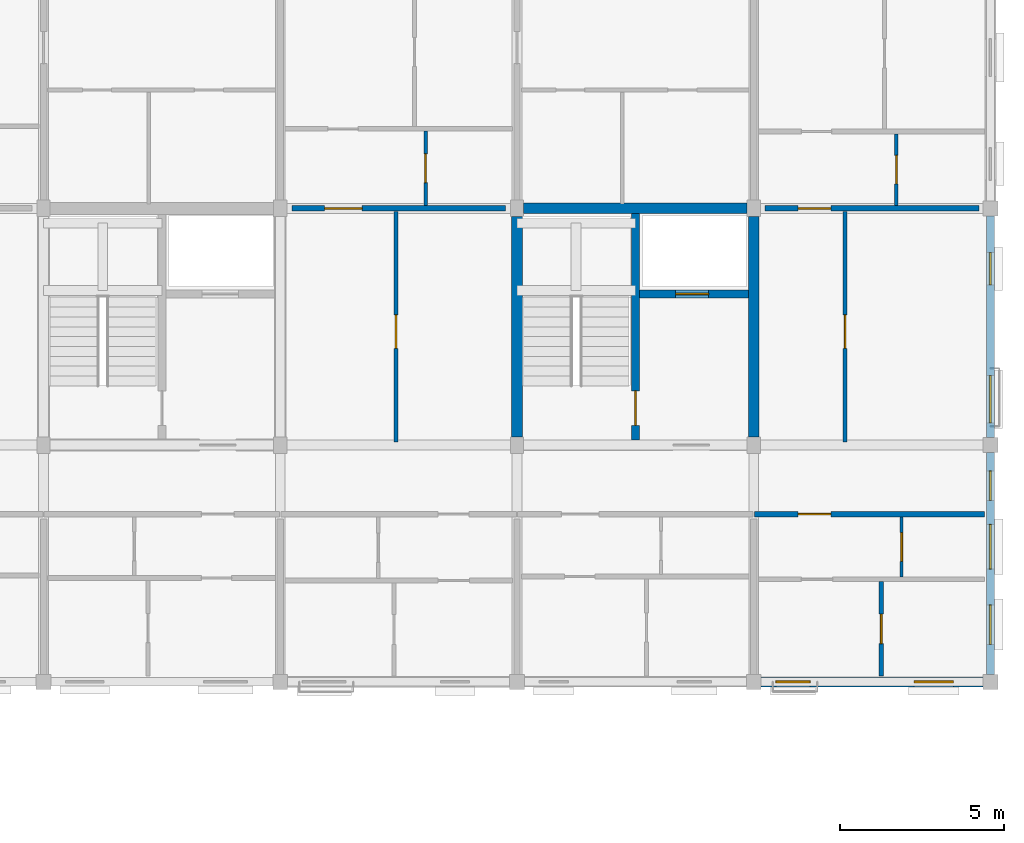
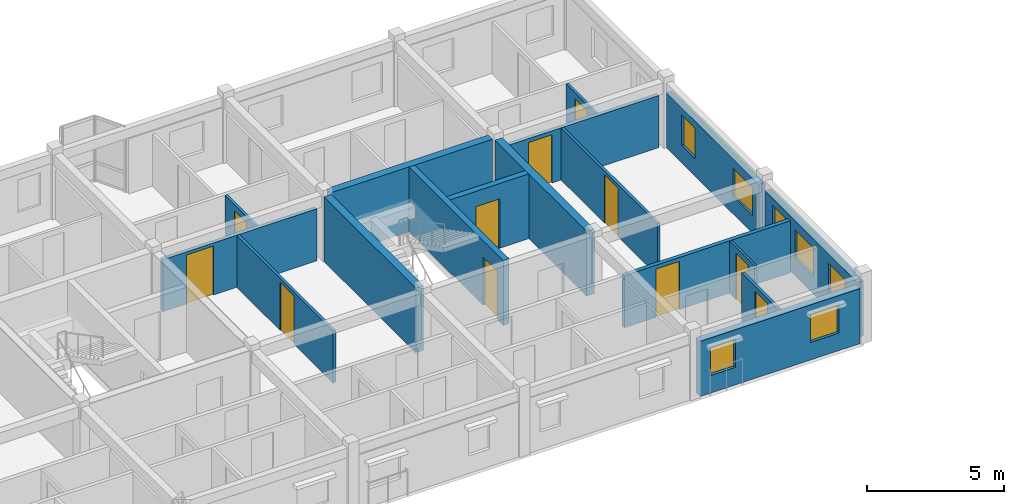
# One storey, part 23 of 28: 17 walls, 11 doors, 7 windows, 18 openings.
"""IFC4 building model written with IfcOpenShell, lengths in metres."""

from ifc_helpers import new_model, si_unit, direction, frame, frame_2d, origin, place, context, subcontext, project, spatial, rectangle, extrude, material, layer, layer_set, type_object, element, fill, save


model = new_model("IFC4")

# Units and contexts
model_context = context("Model", 3, precision=1e-05, world=origin(), true_north=direction((0.0, 1.0)))
body_context = subcontext(model_context, "Body", "Model", "MODEL_VIEW")
ifc_project = project(units=[si_unit("LENGTHUNIT", "METRE"), si_unit("AREAUNIT", "SQUARE_METRE"), si_unit("VOLUMEUNIT", "CUBIC_METRE"), si_unit("PLANEANGLEUNIT", "RADIAN"), si_unit("MASSUNIT", "GRAM", prefix="KILO"), si_unit("THERMODYNAMICTEMPERATUREUNIT", "KELVIN"), si_unit("POWERUNIT", "WATT")], contexts=[model_context])

# Site, building, storey
site_placement = place(None, origin())
site = spatial("IfcSite", under=ifc_project, at=site_placement, CompositionType="ELEMENT")
building_placement = place(site_placement, origin())
building = spatial("IfcBuilding", under=site, at=building_placement, Name="Tavuni Mirador Residences", CompositionType="ELEMENT")
storey_placement = place(building_placement, frame((0.0, 0.0, 39.14990234375)))
storey = spatial("IfcBuildingStorey", under=building, at=storey_placement, Name="L12", CompositionType="ELEMENT", Elevation=39.14990234375)

# Wall, opening, door
ifc_material_1 = material(Name="Precast concrete C40/50", Category="concrete")
ifc_layer_1 = layer(ifc_material_1, 0.25, Name="Precast concrete C40/50", Category="concrete")
ifc_layer_set_1 = layer_set([ifc_layer_1], Name="Precast concrete C40/50")
wall_type_1 = type_object("IfcWallType", Name="WT-COR250", PredefinedType="SHEAR", material=ifc_layer_set_1)
wall_1_placement = place(storey_placement, frame((43.199951171875, 158.56005859375, 0.0), z_axis=(0.0, 0.0, 1.0), x_axis=(0.0, 1.0, 0.0)))
wall_1 = element("IfcWall", 1, at=wall_1_placement, inside=storey, type_object=wall_type_1, Name="CWALL-C6-L12-MID", PredefinedType="SHEAR", context=body_context, shape_type="SweptSolid", body=[
    extrude(rectangle(XDim=6.8798828125, YDim=0.25, at=frame_2d((3.43994140625, 0.0))), origin(), (0.0, 0.0, 1.0), 2.885009765625),
])
opening_1_placement = place(wall_1_placement, frame((0.43994140625, 0.0, 0.0)))
opening_1 = element("IfcOpeningElement", 2, at=opening_1_placement, cuts=wall_1, Name="Opening D-01", PredefinedType="OPENING", context=body_context, shape_type="SweptSolid", body=[
    extrude(rectangle(XDim=1.050048828125, YDim=2.14990234375, at=frame_2d((0.52490234375, 1.074951171875))), frame((0.0, 0.135009765625, 0.0), z_axis=(0.0, -1.0, 0.0), x_axis=(1.0, 0.0, 0.0)), (0.0, 0.0, 1.0), 0.27001953125),
])
ifc_material_2 = material(Name="Solid core iroko timber", Category="wood")
door_type_1 = type_object("IfcDoorType", Name="DT-ST1050", OperationType="NOTDEFINED", PredefinedType="DOOR", material=ifc_material_2)
door_1_placement = place(opening_1_placement, origin())
door_1 = element("IfcDoor", 3, at=door_1_placement, inside=storey, type_object=door_type_1, Name="DR-2256", OperationType="SINGLE_SWING_RIGHT", OverallHeight=2.14990234375, OverallWidth=1.050048828125, PredefinedType="DOOR", context=body_context, shape_type="SweptSolid", body=[
    extrude(rectangle(XDim=1.050048828125, YDim=2.14990234375, at=frame_2d((0.52490234375, 1.074951171875))), frame((0.0, 0.02490234375, 0.0), z_axis=(0.0, -1.0, 0.0), x_axis=(1.0, 0.0, 0.0)), (0.0, 0.0, 1.0), 0.050048828125),
])
fill(opening_1, door_1)

wall_2_placement = place(storey_placement, frame((43.324951171875, 163.0, 0.0), z_axis=(0.0, 0.0, 1.0), x_axis=(1.0, 0.0, 0.0)))
wall_2 = element("IfcWall", 4, at=wall_2_placement, inside=storey, type_object=wall_type_1, Name="CWALL-C6-L12-SHF", PredefinedType="SHEAR", context=body_context, shape_type="SweptSolid", body=[
    extrude(rectangle(XDim=3.31494140625, YDim=0.25, at=frame_2d((1.657470703125, 0.0))), origin(), (0.0, 0.0, 1.0), 2.885009765625),
])
opening_2_placement = place(wall_2_placement, frame((1.10009765625, 0.0, 0.0)))
opening_2 = element("IfcOpeningElement", 5, at=opening_2_placement, cuts=wall_2, Name="Opening LD-02", PredefinedType="OPENING", context=body_context, shape_type="SweptSolid", body=[
    extrude(rectangle(XDim=1.0, YDim=2.199951171875, at=frame_2d((0.5, 1.10009765625))), frame((0.0, 0.135009765625, 0.0), z_axis=(0.0, -1.0, 0.0), x_axis=(1.0, 0.0, 0.0)), (0.0, 0.0, 1.0), 0.27001953125),
])
ifc_material_3 = material(Name="Structural steel S355", Category="steel")
door_type_2 = type_object("IfcDoorType", Name="DT-LD-PAX", OperationType="SLIDING_TO_LEFT", PredefinedType="DOOR", material=ifc_material_3)
door_2_placement = place(opening_2_placement, origin())
door_2 = element("IfcDoor", 6, at=door_2_placement, inside=storey, type_object=door_type_2, Name="Lift landing door PL-C1 L12", OperationType="SLIDING_TO_LEFT", OverallHeight=2.199951171875, OverallWidth=1.0, PredefinedType="DOOR", context=body_context, shape_type="SweptSolid", body=[
    extrude(rectangle(XDim=1.0, YDim=2.199951171875, at=frame_2d((0.5, 1.10009765625))), frame((0.0, 0.02490234375, 0.0), z_axis=(0.0, -1.0, 0.0), x_axis=(1.0, 0.0, 0.0)), (0.0, 0.0, 1.0), 0.050048828125),
])
fill(opening_2, door_2)

# Walls
ifc_layer_2 = layer(ifc_material_1, 0.320068359375, Name="Precast concrete C40/50", Category="concrete")
ifc_layer_set_2 = layer_set([ifc_layer_2], Name="Precast concrete C40/50")
wall_type_2 = type_object("IfcWallType", Name="WT-COR320", PredefinedType="SHEAR", material=ifc_layer_set_2)
wall_3_placement = place(storey_placement, frame((39.60009765625, 158.64990234375, 0.0), z_axis=(0.0, 0.0, 1.0), x_axis=(0.0, 1.0, 0.0)))
element("IfcWall", 7, at=wall_3_placement, inside=storey, type_object=wall_type_2, Name="CWALL-C6-L12-W", PredefinedType="SHEAR", context=body_context, shape_type="SweptSolid", body=[
    extrude(rectangle(XDim=6.7001953125, YDim=0.320068359375, at=frame_2d((3.35009765625, 0.0))), origin(), (0.0, 0.0, 1.0), 2.885009765625),
])
wall_4_placement = place(storey_placement, frame((39.800048828125, 165.60009765625, 0.0), z_axis=(0.0, 0.0, 1.0), x_axis=(1.0, 0.0, 0.0)))
element("IfcWall", 8, at=wall_4_placement, inside=storey, type_object=wall_type_2, Name="CWALL-C6-L12-N", PredefinedType="SHEAR", context=body_context, shape_type="SweptSolid", body=[
    extrude(rectangle(XDim=6.800048828125, YDim=0.320068359375, at=frame_2d((3.39990234375, 0.0))), origin(), (0.0, 0.0, 1.0), 2.885009765625),
])
wall_5_placement = place(storey_placement, frame((46.800048828125, 158.64990234375, 0.0), z_axis=(0.0, 0.0, 1.0), x_axis=(0.0, 1.0, 0.0)))
element("IfcWall", 9, at=wall_5_placement, inside=storey, type_object=wall_type_2, Name="CWALL-C6-L12-E", PredefinedType="SHEAR", context=body_context, shape_type="SweptSolid", body=[
    extrude(rectangle(XDim=6.7001953125, YDim=0.320068359375, at=frame_2d((3.35009765625, 0.0))), origin(), (0.0, 0.0, 1.0), 2.885009765625),
])

# Wall, opening, door
ifc_layer_3 = layer(ifc_material_1, 0.1650390625, Name="Precast concrete C40/50", Category="concrete")
ifc_layer_set_3 = layer_set([ifc_layer_3], Name="Precast concrete C40/50")
wall_type_3 = type_object("IfcWallType", Name="WT-CORR165", PredefinedType="PARTITIONING", material=ifc_layer_set_3)
wall_6_placement = place(storey_placement, frame((46.820068359375, 156.300048828125, 0.0), z_axis=(0.0, 0.0, 1.0), x_axis=(1.0, 0.0, 0.0)))
wall_6 = element("IfcWall", 10, at=wall_6_placement, inside=storey, type_object=wall_type_3, Name="CORW-BLK-C-L12-0-04", PredefinedType="PARTITIONING", context=body_context, shape_type="SweptSolid", body=[
    extrude(rectangle(XDim=7.0048828125, YDim=0.1650390625, at=frame_2d((3.50244140625, 0.0))), origin(), (0.0, 0.0, 1.0), 2.320068359375),
])
opening_3_placement = place(wall_6_placement, frame((1.330078125, 0.0, 0.0)))
opening_3 = element("IfcOpeningElement", 11, at=opening_3_placement, cuts=wall_6, Name="Opening D-03", PredefinedType="OPENING", context=body_context, shape_type="SweptSolid", body=[
    extrude(rectangle(XDim=1.0, YDim=2.14990234375, at=frame_2d((0.5, 1.074951171875))), frame((0.0, 0.092529296875, 0.0), z_axis=(0.0, -1.0, 0.0), x_axis=(1.0, 0.0, 0.0)), (0.0, 0.0, 1.0), 0.18505859375),
])
door_type_3 = type_object("IfcDoorType", Name="DT-FD60-1000", OperationType="NOTDEFINED", PredefinedType="DOOR", material=ifc_material_2)
door_3_placement = place(opening_3_placement, origin())
door_3 = element("IfcDoor", 12, at=door_3_placement, inside=storey, type_object=door_type_3, Name="DR-2787", OperationType="SINGLE_SWING_RIGHT", OverallHeight=2.14990234375, OverallWidth=1.0, PredefinedType="DOOR", context=body_context, shape_type="SweptSolid", body=[
    extrude(rectangle(XDim=1.0, YDim=2.14990234375, at=frame_2d((0.5, 1.074951171875))), frame((0.0, 0.02490234375, 0.0), z_axis=(0.0, -1.0, 0.0), x_axis=(1.0, 0.0, 0.0)), (0.0, 0.0, 1.0), 0.050048828125),
])
fill(opening_3, door_3)

wall_7_placement = place(storey_placement, frame((32.75, 165.60009765625, 0.0), z_axis=(0.0, 0.0, 1.0), x_axis=(1.0, 0.0, 0.0)))
wall_7 = element("IfcWall", 13, at=wall_7_placement, inside=storey, type_object=wall_type_3, Name="CORW-BLK-C-L12-1-02", PredefinedType="PARTITIONING", context=body_context, shape_type="SweptSolid", body=[
    extrude(rectangle(XDim=6.5, YDim=0.1650390625, at=frame_2d((3.25, 0.0))), origin(), (0.0, 0.0, 1.0), 2.320068359375),
])
opening_4_placement = place(wall_7_placement, frame((1.0, 0.0, 0.0)))
opening_4 = element("IfcOpeningElement", 14, at=opening_4_placement, cuts=wall_7, Name="Opening D-20", PredefinedType="OPENING", context=body_context, shape_type="SweptSolid", body=[
    extrude(rectangle(XDim=1.139892578125, YDim=2.179931640625, at=frame_2d((0.56982421875, 1.08984375))), frame((0.0, 0.092529296875, 0.0), z_axis=(0.0, -1.0, 0.0), x_axis=(1.0, 0.0, 0.0)), (0.0, 0.0, 1.0), 0.18505859375),
])
door_type_4 = type_object("IfcDoorType", Name="DT-FD60-1140", OperationType="NOTDEFINED", PredefinedType="DOOR", material=ifc_material_2)
door_4_placement = place(opening_4_placement, origin())
door_4 = element("IfcDoor", 15, at=door_4_placement, inside=storey, type_object=door_type_4, Name="DR-2789", OperationType="SINGLE_SWING_RIGHT", OverallHeight=2.179931640625, OverallWidth=1.139892578125, PredefinedType="DOOR", context=body_context, shape_type="SweptSolid", body=[
    extrude(rectangle(XDim=1.139892578125, YDim=2.179931640625, at=frame_2d((0.56982421875, 1.08984375))), frame((0.0, 0.02490234375, 0.0), z_axis=(0.0, -1.0, 0.0), x_axis=(1.0, 0.0, 0.0)), (0.0, 0.0, 1.0), 0.050048828125),
])
fill(opening_4, door_4)

wall_8_placement = place(storey_placement, frame((47.14990234375, 165.60009765625, 0.0), z_axis=(0.0, 0.0, 1.0), x_axis=(1.0, 0.0, 0.0)))
wall_8 = element("IfcWall", 16, at=wall_8_placement, inside=storey, type_object=wall_type_3, Name="CORW-BLK-C-L12-1-04", PredefinedType="PARTITIONING", context=body_context, shape_type="SweptSolid", body=[
    extrude(rectangle(XDim=6.5, YDim=0.1650390625, at=frame_2d((3.25, 0.0))), origin(), (0.0, 0.0, 1.0), 2.320068359375),
])
opening_5_placement = place(wall_8_placement, frame((1.0, 0.0, 0.0)))
opening_5 = element("IfcOpeningElement", 17, at=opening_5_placement, cuts=wall_8, Name="Opening D-03", PredefinedType="OPENING", context=body_context, shape_type="SweptSolid", body=[
    extrude(rectangle(XDim=1.0, YDim=2.14990234375, at=frame_2d((0.5, 1.074951171875))), frame((0.0, 0.092529296875, 0.0), z_axis=(0.0, -1.0, 0.0), x_axis=(1.0, 0.0, 0.0)), (0.0, 0.0, 1.0), 0.18505859375),
])
door_5_placement = place(opening_5_placement, origin())
door_5 = element("IfcDoor", 18, at=door_5_placement, inside=storey, type_object=door_type_3, Name="DR-2790", OperationType="SINGLE_SWING_LEFT", OverallHeight=2.14990234375, OverallWidth=1.0, PredefinedType="DOOR", context=body_context, shape_type="SweptSolid", body=[
    extrude(rectangle(XDim=1.0, YDim=2.14990234375, at=frame_2d((0.5, 1.074951171875))), frame((0.0, 0.02490234375, 0.0), z_axis=(0.0, -1.0, 0.0), x_axis=(1.0, 0.0, 0.0)), (0.0, 0.0, 1.0), 0.050048828125),
])
fill(opening_5, door_5)

# Wall, openings, windows
ifc_material_4 = material(Name="Sgraffito lime-rendered precast concrete C40/50", Category="concrete")
ifc_layer_4 = layer(ifc_material_4, 0.2451171875, Name="Sgraffito lime-rendered precast concrete C40/50", Category="concrete")
ifc_layer_set_4 = layer_set([ifc_layer_4], Name="Sgraffito lime-rendered precast concrete C40/50")
wall_type_4 = type_object("IfcWallType", Name="WT-EXT-PC245", PredefinedType="SOLIDWALL", material=ifc_layer_set_4)
wall_9_placement = place(storey_placement, frame((54.0, 158.625, 0.0), z_axis=(0.0, 0.0, 1.0), x_axis=(0.0, 1.0, 0.0)))
wall_9 = element("IfcWall", 19, at=wall_9_placement, inside=storey, type_object=wall_type_4, Name="EW-BLK-C-L12-E01", PredefinedType="SOLIDWALL", context=body_context, shape_type="SweptSolid", body=[
    extrude(rectangle(XDim=6.75, YDim=0.2451171875, at=frame_2d((3.375, 0.0))), origin(), (0.0, 0.0, 1.0), 2.455078125),
])
opening_6_placement = place(wall_9_placement, frame((0.449951171875, 0.0, 0.780029296875)))
opening_6 = element("IfcOpeningElement", 20, at=opening_6_placement, cuts=wall_9, Name="Opening WN-16", PredefinedType="OPENING", context=body_context, shape_type="SweptSolid", body=[
    extrude(rectangle(XDim=1.43994140625, YDim=1.260009765625, at=frame_2d((0.719970703125, 0.6298828125))), frame((0.0, 0.132568359375, 0.0), z_axis=(0.0, -1.0, 0.0), x_axis=(1.0, 0.0, 0.0)), (0.0, 0.0, 1.0), 0.26513671875),
])
opening_7_placement = place(wall_9_placement, frame((4.64990234375, 0.0, 0.780029296875)))
opening_7 = element("IfcOpeningElement", 21, at=opening_7_placement, cuts=wall_9, Name="Opening WN-18", PredefinedType="OPENING", context=body_context, shape_type="SweptSolid", body=[
    extrude(rectangle(XDim=0.97998046875, YDim=1.360107421875, at=frame_2d((0.489990234375, 0.68017578125))), frame((0.0, 0.132568359375, 0.0), z_axis=(0.0, -1.0, 0.0), x_axis=(1.0, 0.0, 0.0)), (0.0, 0.0, 1.0), 0.26513671875),
])
ifc_material_5 = material(Name="Laminated solar-control glass", Category="glass")
window_type_1 = type_object("IfcWindowType", Name="WNT-16", PartitioningType="SINGLE_PANEL", PredefinedType="WINDOW", material=ifc_material_5)
window_1_placement = place(opening_6_placement, origin())
window_1 = element("IfcWindow", 22, at=window_1_placement, inside=storey, type_object=window_type_1, Name="WIN-1353", OverallHeight=1.260009765625, OverallWidth=1.43994140625, PartitioningType="SINGLE_PANEL", PredefinedType="WINDOW", context=body_context, shape_type="SweptSolid", body=[
    extrude(rectangle(XDim=1.43994140625, YDim=1.260009765625, at=frame_2d((0.719970703125, 0.6298828125))), frame((0.0, 0.030029296875, 0.0), z_axis=(0.0, -1.0, 0.0), x_axis=(1.0, 0.0, 0.0)), (0.0, 0.0, 1.0), 0.06005859375),
])
fill(opening_6, window_1)
window_type_2 = type_object("IfcWindowType", Name="WNT-18", PartitioningType="SINGLE_PANEL", PredefinedType="WINDOW", material=ifc_material_5)
window_2_placement = place(opening_7_placement, origin())
window_2 = element("IfcWindow", 23, at=window_2_placement, inside=storey, type_object=window_type_2, Name="WIN-1354", OverallHeight=1.360107421875, OverallWidth=0.97998046875, PartitioningType="SINGLE_PANEL", PredefinedType="WINDOW", context=body_context, shape_type="SweptSolid", body=[
    extrude(rectangle(XDim=0.97998046875, YDim=1.360107421875, at=frame_2d((0.489990234375, 0.68017578125))), frame((0.0, 0.030029296875, 0.0), z_axis=(0.0, -1.0, 0.0), x_axis=(1.0, 0.0, 0.0)), (0.0, 0.0, 1.0), 0.06005859375),
])
fill(opening_7, window_2)

ifc_layer_5 = layer(ifc_material_4, 0.2548828125, Name="Sgraffito lime-rendered precast concrete C40/50", Category="concrete")
ifc_layer_set_5 = layer_set([ifc_layer_5], Name="Sgraffito lime-rendered precast concrete C40/50")
wall_type_5 = type_object("IfcWallType", Name="WT-EXT-PC255", PredefinedType="SOLIDWALL", material=ifc_layer_set_5)
wall_10_placement = place(storey_placement, frame((54.0, 151.425048828125, 0.0), z_axis=(0.0, 0.0, 1.0), x_axis=(0.0, 1.0, 0.0)))
wall_10 = element("IfcWall", 24, at=wall_10_placement, inside=storey, type_object=wall_type_5, Name="EW-BLK-C-L12-E00", PredefinedType="SOLIDWALL", context=body_context, shape_type="SweptSolid", body=[
    extrude(rectangle(XDim=6.75, YDim=0.2548828125, at=frame_2d((3.375, 0.0))), origin(), (0.0, 0.0, 1.0), 2.455078125),
])
opening_8_placement = place(wall_10_placement, frame((0.91748046875, 0.0, 0.780029296875)))
opening_8 = element("IfcOpeningElement", 25, at=opening_8_placement, cuts=wall_10, Name="Opening WN-13", PredefinedType="OPENING", context=body_context, shape_type="SweptSolid", body=[
    extrude(rectangle(XDim=1.199951171875, YDim=1.260009765625, at=frame_2d((0.60009765625, 0.6298828125))), frame((0.0, 0.137451171875, 0.0), z_axis=(0.0, -1.0, 0.0), x_axis=(1.0, 0.0, 0.0)), (0.0, 0.0, 1.0), 0.27490234375),
])
opening_9_placement = place(wall_10_placement, frame((3.205078125, 0.0, 0.780029296875)))
opening_9 = element("IfcOpeningElement", 26, at=opening_9_placement, cuts=wall_10, Name="Opening WN-15", PredefinedType="OPENING", context=body_context, shape_type="SweptSolid", body=[
    extrude(rectangle(XDim=1.360107421875, YDim=1.260009765625, at=frame_2d((0.68017578125, 0.6298828125))), frame((0.0, 0.137451171875, 0.0), z_axis=(0.0, -1.0, 0.0), x_axis=(1.0, 0.0, 0.0)), (0.0, 0.0, 1.0), 0.27490234375),
])
opening_10_placement = place(wall_10_placement, frame((5.29248046875, 0.0, 0.780029296875)))
opening_10 = element("IfcOpeningElement", 27, at=opening_10_placement, cuts=wall_10, Name="Opening WN-17", PredefinedType="OPENING", context=body_context, shape_type="SweptSolid", body=[
    extrude(rectangle(XDim=0.89990234375, YDim=1.360107421875, at=frame_2d((0.449951171875, 0.68017578125))), frame((0.0, 0.137451171875, 0.0), z_axis=(0.0, -1.0, 0.0), x_axis=(1.0, 0.0, 0.0)), (0.0, 0.0, 1.0), 0.27490234375),
])
window_type_3 = type_object("IfcWindowType", Name="WNT-13", PartitioningType="SINGLE_PANEL", PredefinedType="WINDOW", material=ifc_material_5)
window_3_placement = place(opening_8_placement, origin())
window_3 = element("IfcWindow", 28, at=window_3_placement, inside=storey, type_object=window_type_3, Name="WIN-1350", OverallHeight=1.260009765625, OverallWidth=1.199951171875, PartitioningType="SINGLE_PANEL", PredefinedType="WINDOW", context=body_context, shape_type="SweptSolid", body=[
    extrude(rectangle(XDim=1.199951171875, YDim=1.260009765625, at=frame_2d((0.60009765625, 0.6298828125))), frame((0.0, 0.030029296875, 0.0), z_axis=(0.0, -1.0, 0.0), x_axis=(1.0, 0.0, 0.0)), (0.0, 0.0, 1.0), 0.06005859375),
])
fill(opening_8, window_3)
window_type_4 = type_object("IfcWindowType", Name="WNT-15", PartitioningType="SINGLE_PANEL", PredefinedType="WINDOW", material=ifc_material_5)
window_4_placement = place(opening_9_placement, origin())
window_4 = element("IfcWindow", 29, at=window_4_placement, inside=storey, type_object=window_type_4, Name="WIN-1351", OverallHeight=1.260009765625, OverallWidth=1.360107421875, PartitioningType="SINGLE_PANEL", PredefinedType="WINDOW", context=body_context, shape_type="SweptSolid", body=[
    extrude(rectangle(XDim=1.360107421875, YDim=1.260009765625, at=frame_2d((0.68017578125, 0.6298828125))), frame((0.0, 0.030029296875, 0.0), z_axis=(0.0, -1.0, 0.0), x_axis=(1.0, 0.0, 0.0)), (0.0, 0.0, 1.0), 0.06005859375),
])
fill(opening_9, window_4)
window_type_5 = type_object("IfcWindowType", Name="WNT-17", PartitioningType="SINGLE_PANEL", PredefinedType="WINDOW", material=ifc_material_5)
window_5_placement = place(opening_10_placement, origin())
window_5 = element("IfcWindow", 30, at=window_5_placement, inside=storey, type_object=window_type_5, Name="WIN-1352", OverallHeight=1.360107421875, OverallWidth=0.89990234375, PartitioningType="SINGLE_PANEL", PredefinedType="WINDOW", context=body_context, shape_type="SweptSolid", body=[
    extrude(rectangle(XDim=0.89990234375, YDim=1.360107421875, at=frame_2d((0.449951171875, 0.68017578125))), frame((0.0, 0.030029296875, 0.0), z_axis=(0.0, -1.0, 0.0), x_axis=(1.0, 0.0, 0.0)), (0.0, 0.0, 1.0), 0.06005859375),
])
fill(opening_10, window_5)

ifc_layer_6 = layer(ifc_material_4, 0.304931640625, Name="Sgraffito lime-rendered precast concrete C40/50", Category="concrete")
ifc_layer_set_6 = layer_set([ifc_layer_6], Name="Sgraffito lime-rendered precast concrete C40/50")
wall_type_6 = type_object("IfcWallType", Name="WT-EXT-PC305", PredefinedType="SOLIDWALL", material=ifc_layer_set_6)
wall_11_placement = place(storey_placement, frame((47.02490234375, 151.199951171875, 0.0), z_axis=(0.0, 0.0, 1.0), x_axis=(1.0, 0.0, 0.0)))
wall_11 = element("IfcWall", 31, at=wall_11_placement, inside=storey, type_object=wall_type_6, Name="EW-BLK-C-L12-S04", PredefinedType="SOLIDWALL", context=body_context, shape_type="SweptSolid", body=[
    extrude(rectangle(XDim=6.75, YDim=0.304931640625, at=frame_2d((3.375, 0.0))), origin(), (0.0, 0.0, 1.0), 2.455078125),
])
opening_11_placement = place(wall_11_placement, frame((0.449951171875, 0.0, 0.780029296875)))
opening_11 = element("IfcOpeningElement", 32, at=opening_11_placement, cuts=wall_11, Name="Opening WN-11", PredefinedType="OPENING", context=body_context, shape_type="SweptSolid", body=[
    extrude(rectangle(XDim=1.0400390625, YDim=1.260009765625, at=frame_2d((0.52001953125, 0.6298828125))), frame((0.0, 0.16259765625, 0.0), z_axis=(0.0, -1.0, 0.0), x_axis=(1.0, 0.0, 0.0)), (0.0, 0.0, 1.0), 0.324951171875),
])
opening_12_placement = place(wall_11_placement, frame((4.64990234375, 0.0, 0.780029296875)))
opening_12 = element("IfcOpeningElement", 33, at=opening_12_placement, cuts=wall_11, Name="Opening WN-13", PredefinedType="OPENING", context=body_context, shape_type="SweptSolid", body=[
    extrude(rectangle(XDim=1.199951171875, YDim=1.260009765625, at=frame_2d((0.60009765625, 0.6298828125))), frame((0.0, 0.16259765625, 0.0), z_axis=(0.0, -1.0, 0.0), x_axis=(1.0, 0.0, 0.0)), (0.0, 0.0, 1.0), 0.324951171875),
])
window_type_6 = type_object("IfcWindowType", Name="WNT-11", PartitioningType="SINGLE_PANEL", PredefinedType="WINDOW", material=ifc_material_5)
window_6_placement = place(opening_11_placement, origin())
window_6 = element("IfcWindow", 34, at=window_6_placement, inside=storey, type_object=window_type_6, Name="WIN-1348", OverallHeight=1.260009765625, OverallWidth=1.0400390625, PartitioningType="SINGLE_PANEL", PredefinedType="WINDOW", context=body_context, shape_type="SweptSolid", body=[
    extrude(rectangle(XDim=1.0400390625, YDim=1.260009765625, at=frame_2d((0.52001953125, 0.6298828125))), frame((0.0, 0.030029296875, 0.0), z_axis=(0.0, -1.0, 0.0), x_axis=(1.0, 0.0, 0.0)), (0.0, 0.0, 1.0), 0.06005859375),
])
fill(opening_11, window_6)
window_7_placement = place(opening_12_placement, origin())
window_7 = element("IfcWindow", 35, at=window_7_placement, inside=storey, type_object=window_type_3, Name="WIN-1349", OverallHeight=1.260009765625, OverallWidth=1.199951171875, PartitioningType="SINGLE_PANEL", PredefinedType="WINDOW", context=body_context, shape_type="SweptSolid", body=[
    extrude(rectangle(XDim=1.199951171875, YDim=1.260009765625, at=frame_2d((0.60009765625, 0.6298828125))), frame((0.0, 0.030029296875, 0.0), z_axis=(0.0, -1.0, 0.0), x_axis=(1.0, 0.0, 0.0)), (0.0, 0.0, 1.0), 0.06005859375),
])
fill(opening_12, window_7)

# Wall, opening, door
ifc_material_6 = material(Name="Acoustic gypsum and concrete block partition", Category="concrete")
ifc_layer_7 = layer(ifc_material_6, 0.094970703125, Name="Acoustic gypsum and concrete block partition", Category="concrete")
ifc_layer_set_7 = layer_set([ifc_layer_7], Name="Acoustic gypsum and concrete block partition")
wall_type_7 = type_object("IfcWallType", Name="WT-PART095", PredefinedType="PARTITIONING", material=ifc_layer_set_7)
wall_12_placement = place(storey_placement, frame((51.300048828125, 154.389892578125, 0.0), z_axis=(0.0, 0.0, 1.0), x_axis=(0.0, 1.0, 0.0)))
wall_12 = element("IfcWall", 36, at=wall_12_placement, inside=storey, type_object=wall_type_7, Name="PW-BLK-C-L12-S04-IN1", PredefinedType="PARTITIONING", context=body_context, shape_type="SweptSolid", body=[
    extrude(rectangle(XDim=1.820068359375, YDim=0.094970703125, at=frame_2d((0.91015625, 0.0))), origin(), (0.0, 0.0, 1.0), 2.320068359375),
])
opening_13_placement = place(wall_12_placement, frame((0.47509765625, 0.0, 0.0)))
opening_13 = element("IfcOpeningElement", 37, at=opening_13_placement, cuts=wall_12, Name="Opening D-10", PredefinedType="OPENING", context=body_context, shape_type="SweptSolid", body=[
    extrude(rectangle(XDim=0.8701171875, YDim=2.050048828125, at=frame_2d((0.43505859375, 1.02490234375))), frame((0.0, 0.0576171875, 0.0), z_axis=(0.0, -1.0, 0.0), x_axis=(1.0, 0.0, 0.0)), (0.0, 0.0, 1.0), 0.114990234375),
])
door_type_5 = type_object("IfcDoorType", Name="DT-WC870", OperationType="NOTDEFINED", PredefinedType="DOOR", material=ifc_material_2)
door_6_placement = place(opening_13_placement, origin())
door_6 = element("IfcDoor", 38, at=door_6_placement, inside=storey, type_object=door_type_5, Name="DR-4253", OperationType="SINGLE_SWING_LEFT", OverallHeight=2.050048828125, OverallWidth=0.8701171875, PredefinedType="DOOR", context=body_context, shape_type="SweptSolid", body=[
    extrude(rectangle(XDim=0.8701171875, YDim=2.050048828125, at=frame_2d((0.43505859375, 1.02490234375))), frame((0.0, 0.02490234375, 0.0), z_axis=(0.0, -1.0, 0.0), x_axis=(1.0, 0.0, 0.0)), (0.0, 0.0, 1.0), 0.050048828125),
])
fill(opening_13, door_6)

ifc_layer_8 = layer(ifc_material_6, 0.10498046875, Name="Acoustic gypsum and concrete block partition", Category="concrete")
ifc_layer_set_8 = layer_set([ifc_layer_8], Name="Acoustic gypsum and concrete block partition")
wall_type_8 = type_object("IfcWallType", Name="WT-PART105", PredefinedType="PARTITIONING", material=ifc_layer_set_8)
wall_13_placement = place(storey_placement, frame((36.820068359375, 165.68994140625, 0.0), z_axis=(0.0, 0.0, 1.0), x_axis=(0.0, 1.0, 0.0)))
wall_13 = element("IfcWall", 39, at=wall_13_placement, inside=storey, type_object=wall_type_8, Name="PW-BLK-C-L12-N02-IN1", PredefinedType="PARTITIONING", context=body_context, shape_type="SweptSolid", body=[
    extrude(rectangle(XDim=2.260009765625, YDim=0.10498046875, at=frame_2d((1.1298828125, 0.0))), origin(), (0.0, 0.0, 1.0), 2.320068359375),
])
opening_14_placement = place(wall_13_placement, frame((0.695068359375, 0.0, 0.0)))
opening_14 = element("IfcOpeningElement", 40, at=opening_14_placement, cuts=wall_13, Name="Opening D-10", PredefinedType="OPENING", context=body_context, shape_type="SweptSolid", body=[
    extrude(rectangle(XDim=0.8701171875, YDim=2.050048828125, at=frame_2d((0.43505859375, 1.02490234375))), frame((0.0, 0.0625, 0.0), z_axis=(0.0, -1.0, 0.0), x_axis=(1.0, 0.0, 0.0)), (0.0, 0.0, 1.0), 0.125),
])
door_7_placement = place(opening_14_placement, origin())
door_7 = element("IfcDoor", 41, at=door_7_placement, inside=storey, type_object=door_type_5, Name="DR-4244", OperationType="SINGLE_SWING_RIGHT", OverallHeight=2.050048828125, OverallWidth=0.8701171875, PredefinedType="DOOR", context=body_context, shape_type="SweptSolid", body=[
    extrude(rectangle(XDim=0.8701171875, YDim=2.050048828125, at=frame_2d((0.43505859375, 1.02490234375))), frame((0.0, 0.02490234375, 0.0), z_axis=(0.0, -1.0, 0.0), x_axis=(1.0, 0.0, 0.0)), (0.0, 0.0, 1.0), 0.050048828125),
])
fill(opening_14, door_7)

wall_14_placement = place(storey_placement, frame((51.139892578125, 165.68994140625, 0.0), z_axis=(0.0, 0.0, 1.0), x_axis=(0.0, 1.0, 0.0)))
wall_14 = element("IfcWall", 42, at=wall_14_placement, inside=storey, type_object=wall_type_8, Name="PW-BLK-C-L12-N04-IN1", PredefinedType="PARTITIONING", context=body_context, shape_type="SweptSolid", body=[
    extrude(rectangle(XDim=2.18017578125, YDim=0.10498046875, at=frame_2d((1.090087890625, 0.0))), origin(), (0.0, 0.0, 1.0), 2.320068359375),
])
opening_15_placement = place(wall_14_placement, frame((0.655029296875, 0.0, 0.0)))
opening_15 = element("IfcOpeningElement", 43, at=opening_15_placement, cuts=wall_14, Name="Opening D-10", PredefinedType="OPENING", context=body_context, shape_type="SweptSolid", body=[
    extrude(rectangle(XDim=0.8701171875, YDim=2.050048828125, at=frame_2d((0.43505859375, 1.02490234375))), frame((0.0, 0.0625, 0.0), z_axis=(0.0, -1.0, 0.0), x_axis=(1.0, 0.0, 0.0)), (0.0, 0.0, 1.0), 0.125),
])
door_8_placement = place(opening_15_placement, origin())
door_8 = element("IfcDoor", 44, at=door_8_placement, inside=storey, type_object=door_type_5, Name="DR-4256", OperationType="SINGLE_SWING_RIGHT", OverallHeight=2.050048828125, OverallWidth=0.8701171875, PredefinedType="DOOR", context=body_context, shape_type="SweptSolid", body=[
    extrude(rectangle(XDim=0.8701171875, YDim=2.050048828125, at=frame_2d((0.43505859375, 1.02490234375))), frame((0.0, 0.02490234375, 0.0), z_axis=(0.0, -1.0, 0.0), x_axis=(1.0, 0.0, 0.0)), (0.0, 0.0, 1.0), 0.050048828125),
])
fill(opening_15, door_8)

ifc_layer_9 = layer(ifc_material_6, 0.114990234375, Name="Acoustic gypsum and concrete block partition", Category="concrete")
ifc_layer_set_9 = layer_set([ifc_layer_9], Name="Acoustic gypsum and concrete block partition")
wall_type_9 = type_object("IfcWallType", Name="WT-PART115", PredefinedType="PARTITIONING", material=ifc_layer_set_9)
wall_15_placement = place(storey_placement, frame((35.919921875, 158.489990234375, 0.0), z_axis=(0.0, 0.0, 1.0), x_axis=(0.0, 1.0, 0.0)))
wall_15 = element("IfcWall", 45, at=wall_15_placement, inside=storey, type_object=wall_type_9, Name="PW-SPN-BLK-C-L12-02", PredefinedType="PARTITIONING", context=body_context, shape_type="SweptSolid", body=[
    extrude(rectangle(XDim=7.02001953125, YDim=0.114990234375, at=frame_2d((3.510009765625, 0.0))), origin(), (0.0, 0.0, 1.0), 2.320068359375),
])
opening_16_placement = place(wall_15_placement, frame((2.85009765625, 0.0, 0.0)))
opening_16 = element("IfcOpeningElement", 46, at=opening_16_placement, cuts=wall_15, Name="Opening D-13", PredefinedType="OPENING", context=body_context, shape_type="SweptSolid", body=[
    extrude(rectangle(XDim=1.02001953125, YDim=2.14990234375, at=frame_2d((0.510009765625, 1.074951171875))), frame((0.0, 0.0673828125, 0.0), z_axis=(0.0, -1.0, 0.0), x_axis=(1.0, 0.0, 0.0)), (0.0, 0.0, 1.0), 0.135009765625),
])
door_type_6 = type_object("IfcDoorType", Name="DT-MTG1020", OperationType="NOTDEFINED", PredefinedType="DOOR", material=ifc_material_2)
door_9_placement = place(opening_16_placement, origin())
door_9 = element("IfcDoor", 47, at=door_9_placement, inside=storey, type_object=door_type_6, Name="DR-4239", OperationType="SINGLE_SWING_RIGHT", OverallHeight=2.14990234375, OverallWidth=1.02001953125, PredefinedType="DOOR", context=body_context, shape_type="SweptSolid", body=[
    extrude(rectangle(XDim=1.02001953125, YDim=2.14990234375, at=frame_2d((0.510009765625, 1.074951171875))), frame((0.0, 0.02490234375, 0.0), z_axis=(0.0, -1.0, 0.0), x_axis=(1.0, 0.0, 0.0)), (0.0, 0.0, 1.0), 0.050048828125),
])
fill(opening_16, door_9)

wall_16_placement = place(storey_placement, frame((49.580078125, 158.489990234375, 0.0), z_axis=(0.0, 0.0, 1.0), x_axis=(0.0, 1.0, 0.0)))
wall_16 = element("IfcWall", 48, at=wall_16_placement, inside=storey, type_object=wall_type_9, Name="PW-SPN-BLK-C-L12-04", PredefinedType="PARTITIONING", context=body_context, shape_type="SweptSolid", body=[
    extrude(rectangle(XDim=7.02001953125, YDim=0.114990234375, at=frame_2d((3.510009765625, 0.0))), origin(), (0.0, 0.0, 1.0), 2.320068359375),
])
opening_17_placement = place(wall_16_placement, frame((2.85009765625, 0.0, 0.0)))
opening_17 = element("IfcOpeningElement", 49, at=opening_17_placement, cuts=wall_16, Name="Opening D-13", PredefinedType="OPENING", context=body_context, shape_type="SweptSolid", body=[
    extrude(rectangle(XDim=1.02001953125, YDim=2.14990234375, at=frame_2d((0.510009765625, 1.074951171875))), frame((0.0, 0.0673828125, 0.0), z_axis=(0.0, -1.0, 0.0), x_axis=(1.0, 0.0, 0.0)), (0.0, 0.0, 1.0), 0.135009765625),
])
door_10_placement = place(opening_17_placement, origin())
door_10 = element("IfcDoor", 50, at=door_10_placement, inside=storey, type_object=door_type_6, Name="DR-4251", OperationType="SINGLE_SWING_RIGHT", OverallHeight=2.14990234375, OverallWidth=1.02001953125, PredefinedType="DOOR", context=body_context, shape_type="SweptSolid", body=[
    extrude(rectangle(XDim=1.02001953125, YDim=2.14990234375, at=frame_2d((0.510009765625, 1.074951171875))), frame((0.0, 0.02490234375, 0.0), z_axis=(0.0, -1.0, 0.0), x_axis=(1.0, 0.0, 0.0)), (0.0, 0.0, 1.0), 0.050048828125),
])
fill(opening_17, door_10)

ifc_layer_10 = layer(ifc_material_6, 0.125, Name="Acoustic gypsum and concrete block partition", Category="concrete")
ifc_layer_set_10 = layer_set([ifc_layer_10], Name="Acoustic gypsum and concrete block partition")
wall_type_10 = type_object("IfcWallType", Name="WT-PART125", PredefinedType="PARTITIONING", material=ifc_layer_set_10)
wall_17_placement = place(storey_placement, frame((50.679931640625, 151.375, 0.0), z_axis=(0.0, 0.0, 1.0), x_axis=(0.0, 1.0, 0.0)))
wall_17 = element("IfcWall", 51, at=wall_17_placement, inside=storey, type_object=wall_type_10, Name="PW-BLK-C-L12-S04-OUT", PredefinedType="PARTITIONING", context=body_context, shape_type="SweptSolid", body=[
    extrude(rectangle(XDim=2.875, YDim=0.125, at=frame_2d((1.4375, 0.0))), origin(), (0.0, 0.0, 1.0), 2.320068359375),
])
opening_18_placement = place(wall_17_placement, frame((0.987548828125, 0.0, 0.0)))
opening_18 = element("IfcOpeningElement", 52, at=opening_18_placement, cuts=wall_17, Name="Opening D-07", PredefinedType="OPENING", context=body_context, shape_type="SweptSolid", body=[
    extrude(rectangle(XDim=0.89990234375, YDim=2.10009765625, at=frame_2d((0.449951171875, 1.050048828125))), frame((0.0, 0.072509765625, 0.0), z_axis=(0.0, -1.0, 0.0), x_axis=(1.0, 0.0, 0.0)), (0.0, 0.0, 1.0), 0.14501953125),
])
door_type_7 = type_object("IfcDoorType", Name="DT-BED900", OperationType="NOTDEFINED", PredefinedType="DOOR", material=ifc_material_2)
door_11_placement = place(opening_18_placement, origin())
door_11 = element("IfcDoor", 53, at=door_11_placement, inside=storey, type_object=door_type_7, Name="DR-4252", OperationType="SINGLE_SWING_RIGHT", OverallHeight=2.10009765625, OverallWidth=0.89990234375, PredefinedType="DOOR", context=body_context, shape_type="SweptSolid", body=[
    extrude(rectangle(XDim=0.89990234375, YDim=2.10009765625, at=frame_2d((0.449951171875, 1.050048828125))), frame((0.0, 0.02490234375, 0.0), z_axis=(0.0, -1.0, 0.0), x_axis=(1.0, 0.0, 0.0)), (0.0, 0.0, 1.0), 0.050048828125),
])
fill(opening_18, door_11)

save(model, "model.ifc")
